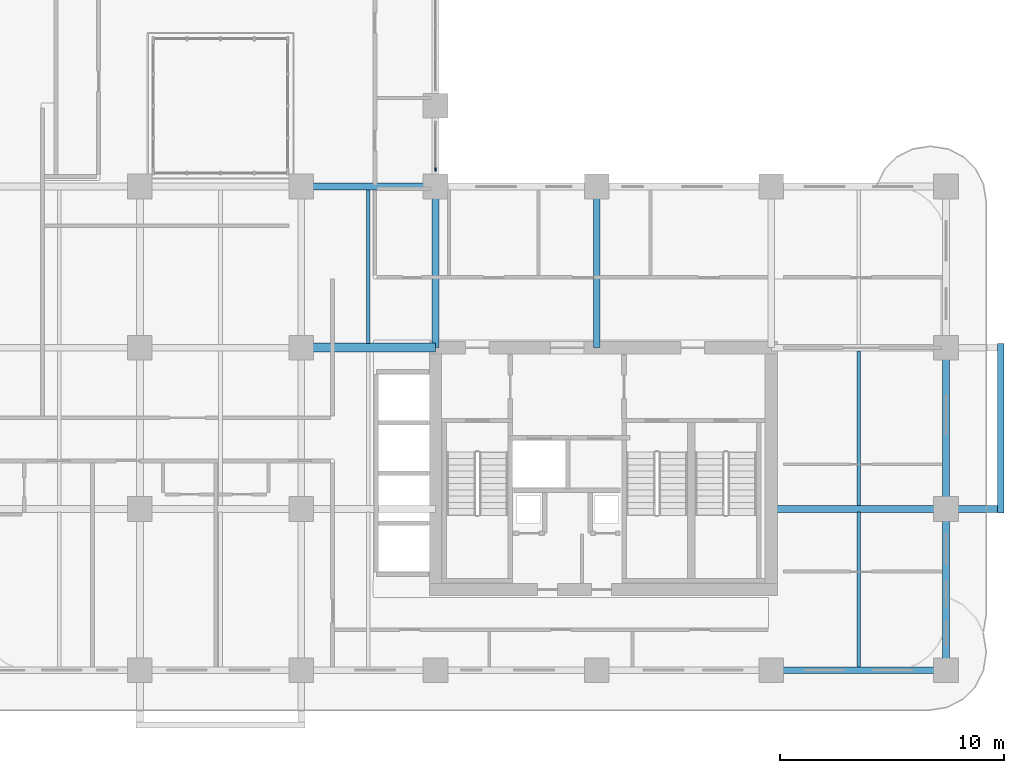
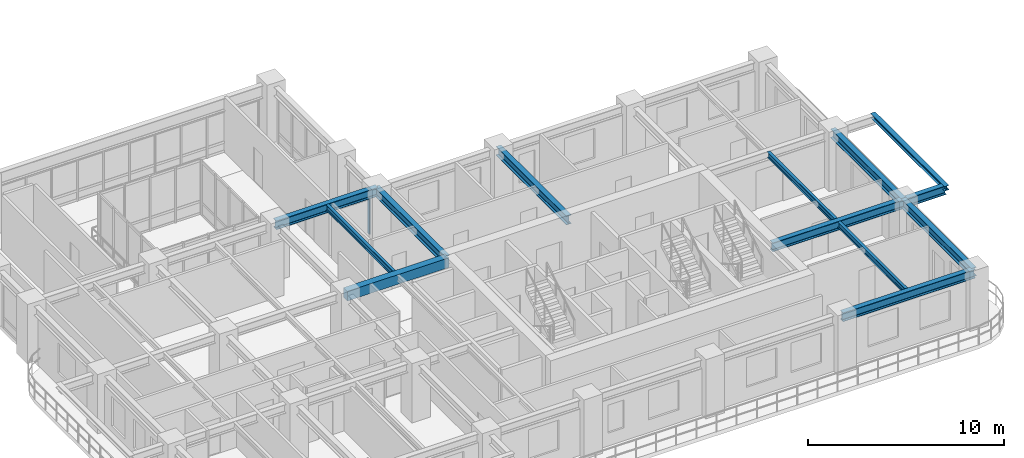
# One storey, part 4 of 22: 12 beams, 1 member, 1 element without a shape of its own.
"""IFC4 building model written with IfcOpenShell, lengths in metres."""

from ifc_helpers import new_model, si_unit, derived_unit, direction, frame, origin, origin_2d, place, context, subcontext, project, spatial, rectangle, i_section, extrude, source, transform, mapped, material, layer, layer_set, material_profile, profile_set, type_object, type_shapes, element, aggregate, save


model = new_model("IFC4")

# Units and contexts
model_context = context("Model", 3, precision=1e-05, world=origin(), true_north=direction((0.0, 1.0)))
body_context = subcontext(model_context, "Body", "Model", "MODEL_VIEW")
ifc_project = project(units=[si_unit("LENGTHUNIT", "METRE"), si_unit("AREAUNIT", "SQUARE_METRE"), si_unit("VOLUMEUNIT", "CUBIC_METRE"), si_unit("PLANEANGLEUNIT", "RADIAN"), si_unit("MASSUNIT", "GRAM", prefix="KILO"), si_unit("THERMODYNAMICTEMPERATUREUNIT", "KELVIN"), si_unit("POWERUNIT", "WATT"), derived_unit("THERMALTRANSMITTANCEUNIT", [(si_unit("POWERUNIT", "WATT"), 1), (si_unit("AREAUNIT", "SQUARE_METRE"), -1), (si_unit("THERMODYNAMICTEMPERATUREUNIT", "KELVIN"), -1)])], contexts=[model_context])

# Site, building, storey
site_placement = place(None, origin())
site = spatial("IfcSite", under=ifc_project, at=site_placement, CompositionType="ELEMENT")
building_placement = place(site_placement, origin())
building = spatial("IfcBuilding", under=site, at=building_placement, Name="Zahravan Archway Hotel and Residences", CompositionType="ELEMENT")
storey_placement = place(building_placement, frame((0.0, 0.0, 73.10009765625)))
storey = spatial("IfcBuildingStorey", under=building, at=storey_placement, Name="L17", CompositionType="ELEMENT", Elevation=73.10009765625)

# Beams
ifc_material_1 = material(Name="Structural Steel S355JR", Category="steel")
ifc_material_profile_1 = material_profile(ifc_material_1, i_section(OverallWidth=0.280029296875, OverallDepth=0.280029296875, WebThickness=0.010498046875, FlangeThickness=0.01806640625, FilletRadius=0.02392578125, at=origin_2d()), Name="HEB 280", Category="steel")
ifc_profile_set_1 = profile_set([ifc_material_profile_1], Name="Structural Steel S355JR")
beam_type_1 = type_object("IfcBeamType", Name="BM-SPN-HEB280", PredefinedType="SPANDREL", material=ifc_profile_set_1)
shared_shape_1 = source(origin(), body_context, "Body", "SweptSolid", [
    extrude(i_section(OverallWidth=0.280029296875, OverallDepth=0.280029296875, WebThickness=0.010498046875, FlangeThickness=0.01806640625, FilletRadius=0.02392578125, at=origin_2d()), origin(), (0.0, 0.0, 1.0), 7.56005859375),
])
type_shapes(beam_type_1, [shared_shape_1])
beam_1_placement = place(storey_placement, frame((60.050048828125, 7.02001953125, 3.309814453125), z_axis=(0.0, 1.0, 0.0), x_axis=(-1.0, 0.0, 0.0)))
element("IfcBeam", 1, at=beam_1_placement, inside=storey, type_object=beam_type_1, Name="L18 EA Balcony Edge Spandrel", PredefinedType="SPANDREL", context=body_context, shape_type="MappedRepresentation", body=[
    mapped(shared_shape_1, transform((0.0, 0.0, 0.0), scale=1.0)),
])
ifc_material_2 = material(Name="Concrete C60/75", Category="concrete")
ifc_material_profile_2 = material_profile(ifc_material_2, rectangle(XDim=0.39990234375, YDim=0.60009765625, at=origin_2d()), Name="RC-LNT-400x600", Category="concrete")
ifc_profile_set_2 = profile_set([ifc_material_profile_2], Name="Concrete C60/75")
beam_type_2 = type_object("IfcBeamType", Name="LNT-RC-400x600", PredefinedType="LINTEL", material=ifc_profile_set_2)
shared_shape_2 = source(origin(), body_context, "Body", "SweptSolid", [
    extrude(rectangle(XDim=0.39990234375, YDim=0.60009765625, at=origin_2d()), origin(), (0.0, 0.0, 1.0), 6.0),
])
type_shapes(beam_type_2, [shared_shape_2])
beam_2_placement = place(storey_placement, frame((28.800048828125, 14.39990234375, 3.14990234375), z_axis=(1.0, 0.0, 0.0), x_axis=(0.0, 1.0, 0.0)))
element("IfcBeam", 2, at=beam_2_placement, inside=storey, type_object=beam_type_2, Name="L17 Core A Coupling Lintel Beam", PredefinedType="LINTEL", context=body_context, shape_type="MappedRepresentation", body=[
    mapped(shared_shape_2, transform((0.0, 0.0, 0.0), scale=1.0)),
])
ifc_material_profile_3 = material_profile(ifc_material_1, i_section(OverallWidth=0.300048828125, OverallDepth=0.550048828125, WebThickness=0.014892578125, FlangeThickness=0.029052734375, FilletRadius=0.027099609375, at=origin_2d()), Name="HEB 550", Category="steel")
ifc_profile_set_3 = profile_set([ifc_material_profile_3], Name="Structural Steel S355JR")
beam_type_3 = type_object("IfcBeamType", Name="BM-PRI-HEB550", PredefinedType="BEAM", material=ifc_profile_set_3)
shared_shape_3 = source(origin(), body_context, "Body", "SweptSolid", [
    extrude(i_section(OverallWidth=0.300048828125, OverallDepth=0.550048828125, WebThickness=0.014892578125, FlangeThickness=0.029052734375, FilletRadius=0.027099609375, at=origin_2d()), origin(), (0.0, 0.0, 1.0), 7.2001953125),
])
type_shapes(beam_type_3, [shared_shape_3])
for number, where, z_axis, x_axis, name in (
    (3, (34.800048828125, 14.39990234375, 3.1748046875), (0.0, 1.0, 0.0), (-1.0, 0.0, 0.0), "L17 Primary Girder NS-45"),
    (4, (42.0, 14.39990234375, 3.1748046875), (0.0, 1.0, 0.0), (-1.0, 0.0, 0.0), "L17 Primary Girder NS-48"),
):
    element("IfcBeam", number, at=place(storey_placement, frame(where, z_axis=z_axis, x_axis=x_axis)), inside=storey, type_object=beam_type_3, Name=name, PredefinedType="BEAM", context=body_context, shape_type="MappedRepresentation", body=[
        mapped(shared_shape_3, transform((0.0, 0.0, 0.0), scale=1.0)),
    ])
shared_shape_4 = source(origin(), body_context, "Body", "SweptSolid", [
    extrude(i_section(OverallWidth=0.300048828125, OverallDepth=0.550048828125, WebThickness=0.014892578125, FlangeThickness=0.029052734375, FilletRadius=0.027099609375, at=origin_2d()), origin(), (0.0, 0.0, 1.0), 7.199951171875),
])
for number, where, z_axis, x_axis, name in (
    (5, (57.60009765625, 0.0, 3.1748046875), (0.0, 1.0, 0.0), (-1.0, 0.0, 0.0), "L17 Primary Girder NS-50"),
    (6, (57.60009765625, 7.199951171875, 3.1748046875), (0.0, 1.0, 0.0), (-1.0, 0.0, 0.0), "L17 Primary Girder NS-51"),
):
    element("IfcBeam", number, at=place(storey_placement, frame(where, z_axis=z_axis, x_axis=x_axis)), inside=storey, type_object=beam_type_3, Name=name, PredefinedType="BEAM", context=body_context, shape_type="MappedRepresentation", body=[
        mapped(shared_shape_4, transform((0.0, 0.0, 0.0), scale=1.0)),
    ])
shared_shape_5 = source(origin(), body_context, "Body", "SweptSolid", [
    extrude(i_section(OverallWidth=0.300048828125, OverallDepth=0.550048828125, WebThickness=0.014892578125, FlangeThickness=0.029052734375, FilletRadius=0.027099609375, at=origin_2d()), origin(), (0.0, 0.0, 1.0), 6.0),
])
beam_3_placement = place(storey_placement, frame((28.800048828125, 21.60009765625, 3.1748046875), z_axis=(1.0, 0.0, 0.0), x_axis=(0.0, 1.0, 0.0)))
element("IfcBeam", 7, at=beam_3_placement, inside=storey, type_object=beam_type_3, Name="L17 Primary Girder EW-16", PredefinedType="BEAM", context=body_context, shape_type="MappedRepresentation", body=[
    mapped(shared_shape_5, transform((0.0, 0.0, 0.0), scale=1.0)),
])
shared_shape_6 = source(origin(), body_context, "Body", "SweptSolid", [
    extrude(i_section(OverallWidth=0.300048828125, OverallDepth=0.550048828125, WebThickness=0.014892578125, FlangeThickness=0.029052734375, FilletRadius=0.027099609375, at=origin_2d()), origin(), (0.0, 0.0, 1.0), 7.800048828125),
])
beam_4_placement = place(storey_placement, frame((49.800048828125, 0.0, 3.1748046875), z_axis=(1.0, 0.0, 0.0), x_axis=(0.0, 1.0, 0.0)))
element("IfcBeam", 8, at=beam_4_placement, inside=storey, type_object=beam_type_3, Name="L17 Primary Girder EW-06", PredefinedType="BEAM", context=body_context, shape_type="MappedRepresentation", body=[
    mapped(shared_shape_6, transform((0.0, 0.0, 0.0), scale=1.0)),
])
shared_shape_7 = source(origin(), body_context, "Body", "SweptSolid", [
    extrude(i_section(OverallWidth=0.300048828125, OverallDepth=0.550048828125, WebThickness=0.014892578125, FlangeThickness=0.029052734375, FilletRadius=0.027099609375, at=origin_2d()), origin(), (0.0, 0.0, 1.0), 10.25),
])
beam_5_placement = place(storey_placement, frame((49.800048828125, 7.199951171875, 3.1748046875), z_axis=(1.0, 0.0, 0.0), x_axis=(0.0, 1.0, 0.0)))
element("IfcBeam", 9, at=beam_5_placement, inside=storey, type_object=beam_type_3, Name="L17 Primary Girder EW-10", PredefinedType="BEAM", context=body_context, shape_type="MappedRepresentation", body=[
    mapped(shared_shape_7, transform((0.0, 0.0, 0.0), scale=1.0)),
])
ifc_material_profile_4 = material_profile(ifc_material_1, i_section(OverallWidth=0.169921875, OverallDepth=0.360107421875, WebThickness=0.008056640625, FlangeThickness=0.0126953125, FilletRadius=0.01806640625, at=origin_2d()), Name="IPE 360", Category="steel")
ifc_profile_set_4 = profile_set([ifc_material_profile_4], Name="Structural Steel S355JR")
beam_type_4 = type_object("IfcBeamType", Name="BM-JST-IPE360", PredefinedType="JOIST", material=ifc_profile_set_4)
shared_shape_8 = source(origin(), body_context, "Body", "SweptSolid", [
    extrude(i_section(OverallWidth=0.169921875, OverallDepth=0.360107421875, WebThickness=0.008056640625, FlangeThickness=0.0126953125, FilletRadius=0.01806640625, at=origin_2d()), origin(), (0.0, 0.0, 1.0), 6.904052734375),
])
type_shapes(beam_type_4, [shared_shape_8])
for number, where, z_axis, x_axis, name in (
    (10, (53.699951171875, 0.14794921875, 3.27001953125), (0.0, 1.0, 0.0), (-1.0, 0.0, 0.0), "L17 Composite Floor Joist 04"),
    (11, (53.699951171875, 7.347900390625, 3.27001953125), (0.0, 1.0, 0.0), (-1.0, 0.0, 0.0), "L17 Composite Floor Joist 08"),
):
    element("IfcBeam", number, at=place(storey_placement, frame(where, z_axis=z_axis, x_axis=x_axis)), inside=storey, type_object=beam_type_4, Name=name, PredefinedType="JOIST", context=body_context, shape_type="MappedRepresentation", body=[
        mapped(shared_shape_8, transform((0.0, 0.0, 0.0), scale=1.0)),
    ])
shared_shape_9 = source(origin(), body_context, "Body", "SweptSolid", [
    extrude(i_section(OverallWidth=0.169921875, OverallDepth=0.360107421875, WebThickness=0.008056640625, FlangeThickness=0.0126953125, FilletRadius=0.01806640625, at=origin_2d()), origin(), (0.0, 0.0, 1.0), 6.85400390625),
])
beam_6_placement = place(storey_placement, frame((31.800048828125, 14.597900390625, 3.27001953125), z_axis=(0.0, 1.0, 0.0), x_axis=(-1.0, 0.0, 0.0)))
element("IfcBeam", 12, at=beam_6_placement, inside=storey, type_object=beam_type_4, Name="L17 Composite Floor Joist 09", PredefinedType="JOIST", context=body_context, shape_type="MappedRepresentation", body=[
    mapped(shared_shape_9, transform((0.0, 0.0, 0.0), scale=1.0)),
])

# Curtain wall, member
ifc_material_3 = material(Name="Bronze-Anodized Unitised Aluminium & Low-E Glass", Category="aluminium")
ifc_layer = layer(ifc_material_3, 0.179931640625, Name="Bronze-Anodized Unitised Aluminium & Low-E Glass", Category="aluminium")
ifc_layer_set = layer_set([ifc_layer], Name="Bronze-Anodized Unitised Aluminium & Low-E Glass")
curtain_wall_type = type_object("IfcCurtainWallType", Name="CW-ATR-GLAZ", PredefinedType="NOTDEFINED", material=ifc_layer_set)
curtain_wall_placement = place(storey_placement, origin())
curtain_wall = element("IfcCurtainWall", 13, at=curtain_wall_placement, inside=storey, type_object=curtain_wall_type, Name="L17 Curtain Wall CW-L17-HNG-E-1", PredefinedType="NOTDEFINED")
ifc_material_4 = material(Name="Bronze-Anodized Extruded Aluminium", Category="aluminium")
ifc_material_profile_5 = material_profile(ifc_material_4, rectangle(XDim=0.080078125, YDim=0.159912109375, at=origin_2d()), Name="MUL 80x160", Category="aluminium")
ifc_profile_set_5 = profile_set([ifc_material_profile_5], Name="Bronze-Anodized Extruded Aluminium")
member_type = type_object("IfcMemberType", Name="CWM-MUL-160", PredefinedType="MULLION", material=ifc_profile_set_5)
shared_shape_10 = source(origin(), body_context, "Body", "SweptSolid", [
    extrude(rectangle(XDim=0.080078125, YDim=0.159912109375, at=origin_2d()), origin(), (0.0, 0.0, 1.0), 2.885009765625),
])
member_placement = place(storey_placement, frame((34.800048828125, 22.360107421875, 0.0), z_axis=(0.0, 0.0, 1.0), x_axis=(1.0, 0.0, 0.0)))
member = element("IfcMember", 14, at=member_placement, type_object=member_type, Name="CW-L17-HNG-E-1 Mullion 0", PredefinedType="MULLION", context=body_context, shape_type="MappedRepresentation", body=[
    mapped(shared_shape_10, transform((0.0, 0.0, 0.0), scale=1.0)),
])
aggregate(curtain_wall, [member])

save(model, "model.ifc")
